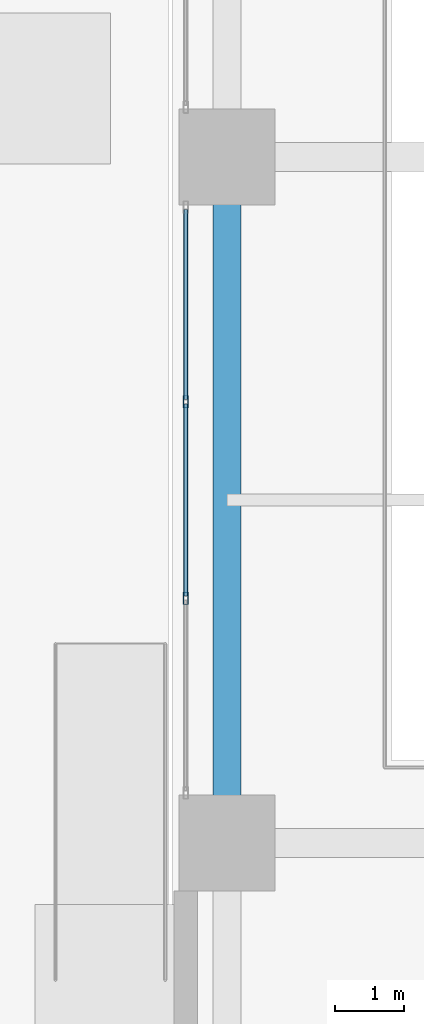
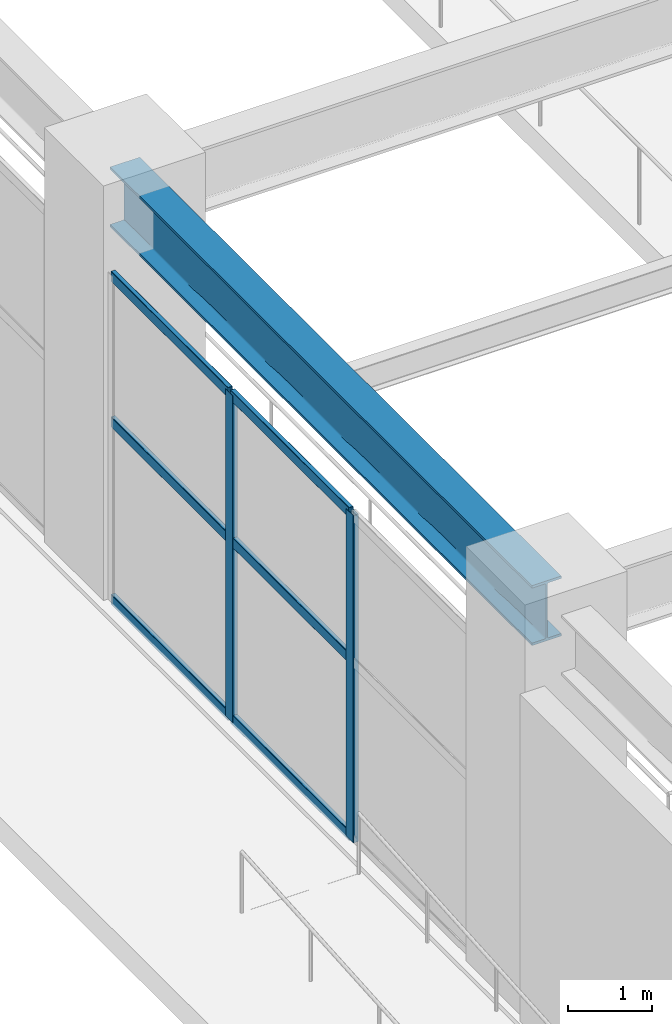
# One storey, part 7 of 31: 8 members, 1 beam, 1 element without a shape of its own.
"""IFC4 building model written with IfcOpenShell, lengths in metres."""

import ifcopenshell
import ifcopenshell.guid

model = None  # the IFC model being written
_history = None  # IfcOwnerHistory: only IFC2X3 demands one
_inside = {}  # id of a spatial element -> (the spatial element, [elements in it])
_under = {}  # id of a project, library or spatial element -> (it, [spatial elements below it])
_declared = {}  # id of a project -> (the project, [libraries it declares])
_typed = {}  # id of a type object -> (the type object, [elements of that type])
_made_of = {}  # id of a material, layer set ... -> (it, [elements and type objects made of it])


def new_model(schema):
    """Start an empty IFC model of exactly this schema.

    Asked for "IFC4X3", IfcOpenShell would pick the latest addendum, in which some entities
    have other attributes; the version numbers below select the first issue.
    IFC2X3 requires an IfcOwnerHistory on every rooted entity: one is made here for all.
    """
    global model, _history
    if schema == "IFC4X3":
        model = ifcopenshell.file(schema_version=(4, 3, 0, 0))
    else:
        model = ifcopenshell.file(schema=schema)
    _inside.clear()
    _under.clear()
    _declared.clear()
    _typed.clear()
    _made_of.clear()
    _history = None
    if model.schema == "IFC2X3":
        org = make("IfcOrganization", Name="unknown")
        user = make(
            "IfcPersonAndOrganization",
            ThePerson=make("IfcPerson", FamilyName="unknown"),
            TheOrganization=org,
        )
        app = make(
            "IfcApplication",
            ApplicationDeveloper=org,
            Version="unknown",
            ApplicationFullName="unknown",
            ApplicationIdentifier="unknown",
        )
        _history = make(
            "IfcOwnerHistory",
            OwningUser=user,
            OwningApplication=app,
            ChangeAction="ADDED",
            CreationDate=0,
        )
    return model


def make(cls, **values):
    """One entity of the class cls with the attributes given. An attribute that is None is left unset."""
    return model.create_entity(
        cls, **{name: value for name, value in values.items() if value is not None}
    )


def rooted(cls, **values):
    """An entity with a GlobalId (a new one), such as an element, a storey or a relation."""
    return make(cls, GlobalId=ifcopenshell.guid.new(), OwnerHistory=_history, **values)


def si_unit(unit_type, name, prefix=None):
    """IfcSIUnit, for example si_unit("LENGTHUNIT", "METRE", prefix="MILLI")."""
    return make("IfcSIUnit", UnitType=unit_type, Prefix=prefix, Name=name)


def assignment(units):
    """IfcUnitAssignment: the units of a project."""
    return None if units is None else make("IfcUnitAssignment", Units=units)


def point(xyz):
    """IfcCartesianPoint."""
    return None if xyz is None else make("IfcCartesianPoint", Coordinates=xyz)


def direction(xyz):
    """IfcDirection."""
    return None if xyz is None else make("IfcDirection", DirectionRatios=xyz)


def frame(location, z_axis=None, x_axis=None):
    """IfcAxis2Placement3D, a coordinate frame: its origin and axes. An axis left out is left unset."""
    return make(
        "IfcAxis2Placement3D",
        Location=point(location),
        Axis=direction(z_axis),
        RefDirection=direction(x_axis),
    )


def frame_2d(location, x_axis=None):
    """IfcAxis2Placement2D, a coordinate frame in the plane: its origin and x axis."""
    return make(
        "IfcAxis2Placement2D", Location=point(location), RefDirection=direction(x_axis)
    )


def origin():
    """The frame at (0, 0, 0) with its axes left unset."""
    return frame((0.0, 0.0, 0.0))


def origin_2d():
    """The frame at (0, 0) in the plane with its x axis left unset."""
    return frame_2d((0.0, 0.0))


def place(relative_to, where):
    """IfcLocalPlacement: puts the frame where relative to a parent placement (None: the world)."""
    return make(
        "IfcLocalPlacement", PlacementRelTo=relative_to, RelativePlacement=where
    )


def context(
    kind, dimensions, precision=None, world=None, true_north=None, identifier=None
):
    """IfcGeometricRepresentationContext, for example the 3D "Model" context."""
    return make(
        "IfcGeometricRepresentationContext",
        ContextIdentifier=identifier,
        ContextType=kind,
        CoordinateSpaceDimension=dimensions,
        Precision=precision,
        WorldCoordinateSystem=world,
        TrueNorth=true_north,
    )


def subcontext(parent, identifier, kind, view, scale=None):
    """IfcGeometricRepresentationSubContext, for example "Body" below "Model"."""
    return make(
        "IfcGeometricRepresentationSubContext",
        ContextIdentifier=identifier,
        ContextType=kind,
        ParentContext=parent,
        TargetScale=scale,
        TargetView=view,
    )


def project(units=None, contexts=None):
    """IfcProject with its units and contexts."""
    return rooted(
        "IfcProject",
        Name="project",
        RepresentationContexts=contexts,
        UnitsInContext=assignment(units),
    )


def spatial(cls, under=None, at=None, **own):
    """A site, building, storey or space (cls), placed at a placement, below another one or the project."""
    s = rooted(cls, ObjectPlacement=at, **own)
    if under is not None:
        _under.setdefault(under.id(), (under, []))[1].append(s)
    return s


def profile(cls, at=None, kind="AREA", **sizes):
    """A parametric profile (cls). Its sizes go by their IFC names, for example OverallWidth=200.0."""
    return make(cls, ProfileType=kind, Position=at, **sizes)


def hollow_rectangle(**sizes):
    """IfcRectangleHollowProfileDef."""
    return profile("IfcRectangleHollowProfileDef", **sizes)


def i_section(**sizes):
    """IfcIShapeProfileDef."""
    return profile("IfcIShapeProfileDef", **sizes)


def extrude(swept, where, along, depth):
    """IfcExtrudedAreaSolid: the profile swept, set in the frame where, extruded along a direction by depth."""
    return make(
        "IfcExtrudedAreaSolid",
        SweptArea=swept,
        Position=where,
        ExtrudedDirection=direction(along),
        Depth=depth,
    )


def shape(context_of_items, identifier, shape_type, items):
    """IfcShapeRepresentation: the items that make up one representation, for example the "Body"."""
    return make(
        "IfcShapeRepresentation",
        ContextOfItems=context_of_items,
        RepresentationIdentifier=identifier,
        RepresentationType=shape_type,
        Items=items,
    )


def material(Name=None, Category=None):
    """IfcMaterial."""
    return make("IfcMaterial", Name=Name, Category=Category)


def layer(
    of_material, thickness, ventilated=None, Name=None, Category=None, Priority=None
):
    """IfcMaterialLayer: one layer of a wall or slab, of a material (None: an air gap)."""
    return make(
        "IfcMaterialLayer",
        Material=of_material,
        LayerThickness=thickness,
        IsVentilated=ventilated,
        Name=Name,
        Category=Category,
        Priority=Priority,
    )


def layer_set(layers, Name=None):
    """IfcMaterialLayerSet."""
    return make("IfcMaterialLayerSet", MaterialLayers=layers, LayerSetName=Name)


def material_profile(
    of_material, cross_section, Name=None, Category=None, Priority=None
):
    """IfcMaterialProfile: a cross section and its material."""
    return make(
        "IfcMaterialProfile",
        Name=Name,
        Material=of_material,
        Profile=cross_section,
        Priority=Priority,
        Category=Category,
    )


def profile_set(profiles, Name=None, composite=None):
    """IfcMaterialProfileSet."""
    return make(
        "IfcMaterialProfileSet",
        Name=Name,
        MaterialProfiles=profiles,
        CompositeProfile=composite,
    )


def made_of(thing, what):
    """Note that an element or type object is made of a material, layer set ...; save() writes the relation."""
    if what is not None:
        _made_of.setdefault(what.id(), (what, []))[1].append(thing)
    return thing


def type_object(cls, material=None, **own):
    """A type object (cls), such as IfcWallType, which elements share."""
    return made_of(rooted(cls, **own), material)


def element(
    cls,
    number,
    at=None,
    inside=None,
    cuts=None,
    type_object=None,
    material=None,
    context=None,
    identifier="Body",
    shape_type=None,
    held_by="IfcProductDefinitionShape",
    body=None,
    shapes=None,
    **own,
):
    """One element of the class cls, such as IfcWall. Its Tag is "e" and its number.

    at: its placement. inside: the storey or other place that contains it. cuts: it is an
    opening in that element (IfcRelVoidsElement). A single representation is given by context,
    identifier, shape_type and body (its items); several are given by shapes. held_by: the class
    of the entity that holds the representations. save() writes the other relations.
    """
    e = rooted(cls, Tag="e%d" % number, ObjectPlacement=at, **own)
    if body is not None:
        shapes = [shape(context, identifier, shape_type, body)]
    if shapes is not None:
        e.Representation = make(held_by, Representations=shapes)
    if inside is not None:
        _inside.setdefault(inside.id(), (inside, []))[1].append(e)
    if cuts is not None:
        rooted(
            "IfcRelVoidsElement", RelatingBuildingElement=cuts, RelatedOpeningElement=e
        )
    if type_object is not None:
        _typed.setdefault(type_object.id(), (type_object, []))[1].append(e)
    return made_of(e, material)


def aggregate(whole, parts):
    """IfcRelAggregates: a whole, such as a stair, and the parts it consists of."""
    return rooted("IfcRelAggregates", RelatingObject=whole, RelatedObjects=parts)


def save(model, path):
    """Write the relations noted so far, then the file.

    IfcRelAggregates (storeys below a building ...), IfcRelContainedInSpatialStructure (elements
    in a storey), IfcRelDefinesByType, IfcRelAssociatesMaterial and IfcRelDeclares: one each for
    every whole, place, type object, material and project.
    """
    for whole, parts in _under.values():
        aggregate(whole, parts)
    for where, things in _inside.values():
        rooted(
            "IfcRelContainedInSpatialStructure",
            RelatedElements=things,
            RelatingStructure=where,
        )
    for kind, things in _typed.values():
        rooted("IfcRelDefinesByType", RelatedObjects=things, RelatingType=kind)
    for what, things in _made_of.values():
        rooted("IfcRelAssociatesMaterial", RelatedObjects=things, RelatingMaterial=what)
    for by, libraries in _declared.values():
        rooted("IfcRelDeclares", RelatingContext=by, RelatedDefinitions=libraries)
    model.write(path)


model = new_model("IFC4")

# Units and contexts
model_context = context("Model", 3, precision=1e-05, world=origin(), true_north=direction((0.0, 1.0)))
body_context = subcontext(model_context, "Body", "Model", "MODEL_VIEW")
ifc_project = project(units=[si_unit("LENGTHUNIT", "METRE"), si_unit("AREAUNIT", "SQUARE_METRE"), si_unit("VOLUMEUNIT", "CUBIC_METRE"), si_unit("PLANEANGLEUNIT", "RADIAN"), si_unit("MASSUNIT", "GRAM", prefix="KILO")], contexts=[model_context])

# Site, building, storey
site_placement = place(None, origin())
site = spatial("IfcSite", under=ifc_project, at=site_placement, CompositionType="ELEMENT")
building_placement = place(site_placement, origin())
building = spatial("IfcBuilding", under=site, at=building_placement, Name="Soratama Intermodal Tower", CompositionType="ELEMENT")
storey_placement = place(building_placement, origin())
storey = spatial("IfcBuildingStorey", under=building, at=storey_placement, Name="L00", CompositionType="ELEMENT", Elevation=0.0)

# Beam
ifc_material_1 = material(Name="Structural steel ASTM A992 Grade 50", Category="steel")
ifc_material_profile_1 = material_profile(ifc_material_1, i_section(OverallWidth=0.403076171875, OverallDepth=0.867919921875, WebThickness=0.02099609375, FlangeThickness=0.03564453125, FilletRadius=0.01806640625, at=origin_2d()), Name="W33X241")
ifc_profile_set_1 = profile_set([ifc_material_profile_1], Name="Structural steel ASTM A992 Grade 50")
beam_type = type_object("IfcBeamType", Name="BM-POD-EXT-W33", PredefinedType="BEAM", material=ifc_profile_set_1)
beam_placement = place(storey_placement, frame((0.800048828125, 15.0, 5.24609375), z_axis=(0.0, 1.0, 0.0), x_axis=(-1.0, 0.0, 0.0)))
element("IfcBeam", 1, at=beam_placement, inside=storey, type_object=beam_type, Name="L00 Station Girder Y1-2", PredefinedType="BEAM", context=body_context, shape_type="SweptSolid", body=[
    extrude(i_section(OverallWidth=0.403076171875, OverallDepth=0.867919921875, WebThickness=0.02099609375, FlangeThickness=0.03564453125, FilletRadius=0.01806640625, at=origin_2d()), origin(), (0.0, 0.0, 1.0), 10.0),
])

# Curtain wall, members
ifc_material_2 = material(Name="Double-glazed aluminium curtain wall", Category="aluminium")
ifc_layer = layer(ifc_material_2, 0.159912109375)
ifc_layer_set = layer_set([ifc_layer], Name="Double-glazed aluminium curtain wall")
curtain_wall_type = type_object("IfcCurtainWallType", Name="CW-SYS-1", PredefinedType="NOTDEFINED", material=ifc_layer_set)
curtain_wall_placement = place(storey_placement, origin())
curtain_wall = element("IfcCurtainWall", 2, at=curtain_wall_placement, inside=storey, type_object=curtain_wall_type, Name="L00 Station Curtain Wall W1", PredefinedType="NOTDEFINED")
ifc_material_3 = material(Name="Anodised aluminium AA 6063-T6", Category="aluminium")
ifc_material_profile_2 = material_profile(ifc_material_3, hollow_rectangle(XDim=0.074951171875, YDim=0.179931640625, WallThickness=0.006103515625, InnerFilletRadius=0.006103515625, OuterFilletRadius=0.011962890625, at=origin_2d()), Name="CWM180X75X6")
ifc_profile_set_2 = profile_set([ifc_material_profile_2], Name="Anodised aluminium AA 6063-T6")
member_type_1 = type_object("IfcMemberType", Name="MT-CWM-1", PredefinedType="MULLION", material=ifc_profile_set_2)
member_1_placement = place(storey_placement, frame((0.199951171875, 18.566650390625, 0.0), z_axis=(0.0, 0.0, 1.0), x_axis=(-1.0, 0.0, 0.0)))
member_1 = element("IfcMember", 3, at=member_1_placement, type_object=member_type_1, Name="CW-1 mullion 2", PredefinedType="MULLION", context=body_context, shape_type="SweptSolid", body=[
    extrude(hollow_rectangle(XDim=0.074951171875, YDim=0.179931640625, WallThickness=0.006103515625, InnerFilletRadius=0.006103515625, OuterFilletRadius=0.011962890625, at=origin_2d()), origin(), (0.0, 0.0, 1.0), 4.736083984375),
])
member_2_placement = place(storey_placement, frame((0.199951171875, 21.433349609375, 0.0), z_axis=(0.0, 0.0, 1.0), x_axis=(-1.0, 0.0, 0.0)))
member_2 = element("IfcMember", 4, at=member_2_placement, type_object=member_type_1, Name="CW-1 mullion 3", PredefinedType="MULLION", context=body_context, shape_type="SweptSolid", body=[
    extrude(hollow_rectangle(XDim=0.074951171875, YDim=0.179931640625, WallThickness=0.006103515625, InnerFilletRadius=0.006103515625, OuterFilletRadius=0.011962890625, at=origin_2d()), origin(), (0.0, 0.0, 1.0), 4.736083984375),
])
ifc_material_4 = material(Name="Anodised aluminium AA 6063-T6", Category="aluminium")
ifc_material_profile_3 = material_profile(ifc_material_4, hollow_rectangle(XDim=0.06494140625, YDim=0.14990234375, WallThickness=0.0048828125, InnerFilletRadius=0.0048828125, OuterFilletRadius=0.010009765625, at=origin_2d()), Name="CWT150X65X5")
ifc_profile_set_3 = profile_set([ifc_material_profile_3], Name="Anodised aluminium AA 6063-T6")
member_type_2 = type_object("IfcMemberType", Name="TT-CWT-1", PredefinedType="USERDEFINED", material=ifc_profile_set_3)
member_3_placement = place(storey_placement, frame((0.199951171875, 18.5966796875, 0.030029296875), z_axis=(0.0, 1.0, 0.0), x_axis=(-1.0, 0.0, 0.0)))
member_3 = element("IfcMember", 5, at=member_3_placement, type_object=member_type_2, Name="CW-1 transom 2.1", ObjectType="TRANSOM", PredefinedType="USERDEFINED", context=body_context, shape_type="SweptSolid", body=[
    extrude(hollow_rectangle(XDim=0.06494140625, YDim=0.14990234375, WallThickness=0.0048828125, InnerFilletRadius=0.0048828125, OuterFilletRadius=0.010009765625, at=origin_2d()), origin(), (0.0, 0.0, 1.0), 2.806640625),
])
member_4_placement = place(storey_placement, frame((0.199951171875, 18.5966796875, 2.60009765625), z_axis=(0.0, 1.0, 0.0), x_axis=(-1.0, 0.0, 0.0)))
member_4 = element("IfcMember", 6, at=member_4_placement, type_object=member_type_2, Name="CW-1 transom 2.2", ObjectType="TRANSOM", PredefinedType="USERDEFINED", context=body_context, shape_type="SweptSolid", body=[
    extrude(hollow_rectangle(XDim=0.06494140625, YDim=0.14990234375, WallThickness=0.0048828125, InnerFilletRadius=0.0048828125, OuterFilletRadius=0.010009765625, at=origin_2d()), origin(), (0.0, 0.0, 1.0), 2.806640625),
])
member_5_placement = place(storey_placement, frame((0.199951171875, 18.5966796875, 4.7060546875), z_axis=(0.0, 1.0, 0.0), x_axis=(-1.0, 0.0, 0.0)))
member_5 = element("IfcMember", 7, at=member_5_placement, type_object=member_type_2, Name="CW-1 transom 2.3", ObjectType="TRANSOM", PredefinedType="USERDEFINED", context=body_context, shape_type="SweptSolid", body=[
    extrude(hollow_rectangle(XDim=0.06494140625, YDim=0.14990234375, WallThickness=0.0048828125, InnerFilletRadius=0.0048828125, OuterFilletRadius=0.010009765625, at=origin_2d()), origin(), (0.0, 0.0, 1.0), 2.806640625),
])
member_6_placement = place(storey_placement, frame((0.199951171875, 21.46337890625, 0.030029296875), z_axis=(0.0, 1.0, 0.0), x_axis=(-1.0, 0.0, 0.0)))
member_6 = element("IfcMember", 8, at=member_6_placement, type_object=member_type_2, Name="CW-1 transom 3.1", ObjectType="TRANSOM", PredefinedType="USERDEFINED", context=body_context, shape_type="SweptSolid", body=[
    extrude(hollow_rectangle(XDim=0.06494140625, YDim=0.14990234375, WallThickness=0.0048828125, InnerFilletRadius=0.0048828125, OuterFilletRadius=0.010009765625, at=origin_2d()), origin(), (0.0, 0.0, 1.0), 2.776611328125),
])
member_7_placement = place(storey_placement, frame((0.199951171875, 21.46337890625, 2.60009765625), z_axis=(0.0, 1.0, 0.0), x_axis=(-1.0, 0.0, 0.0)))
member_7 = element("IfcMember", 9, at=member_7_placement, type_object=member_type_2, Name="CW-1 transom 3.2", ObjectType="TRANSOM", PredefinedType="USERDEFINED", context=body_context, shape_type="SweptSolid", body=[
    extrude(hollow_rectangle(XDim=0.06494140625, YDim=0.14990234375, WallThickness=0.0048828125, InnerFilletRadius=0.0048828125, OuterFilletRadius=0.010009765625, at=origin_2d()), origin(), (0.0, 0.0, 1.0), 2.776611328125),
])
member_8_placement = place(storey_placement, frame((0.199951171875, 21.46337890625, 4.7060546875), z_axis=(0.0, 1.0, 0.0), x_axis=(-1.0, 0.0, 0.0)))
member_8 = element("IfcMember", 10, at=member_8_placement, type_object=member_type_2, Name="CW-1 transom 3.3", ObjectType="TRANSOM", PredefinedType="USERDEFINED", context=body_context, shape_type="SweptSolid", body=[
    extrude(hollow_rectangle(XDim=0.06494140625, YDim=0.14990234375, WallThickness=0.0048828125, InnerFilletRadius=0.0048828125, OuterFilletRadius=0.010009765625, at=origin_2d()), origin(), (0.0, 0.0, 1.0), 2.776611328125),
])
aggregate(curtain_wall, [member_1, member_2, member_3, member_4, member_5, member_6, member_7, member_8])

save(model, "model.ifc")
